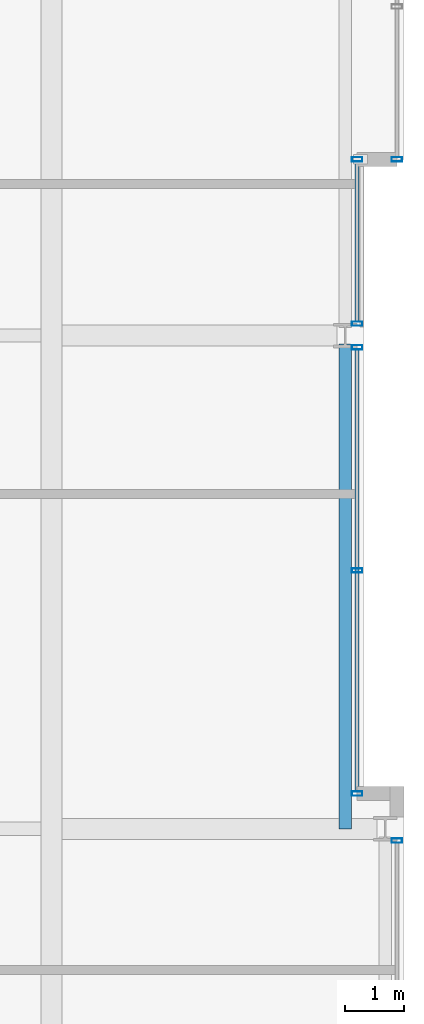
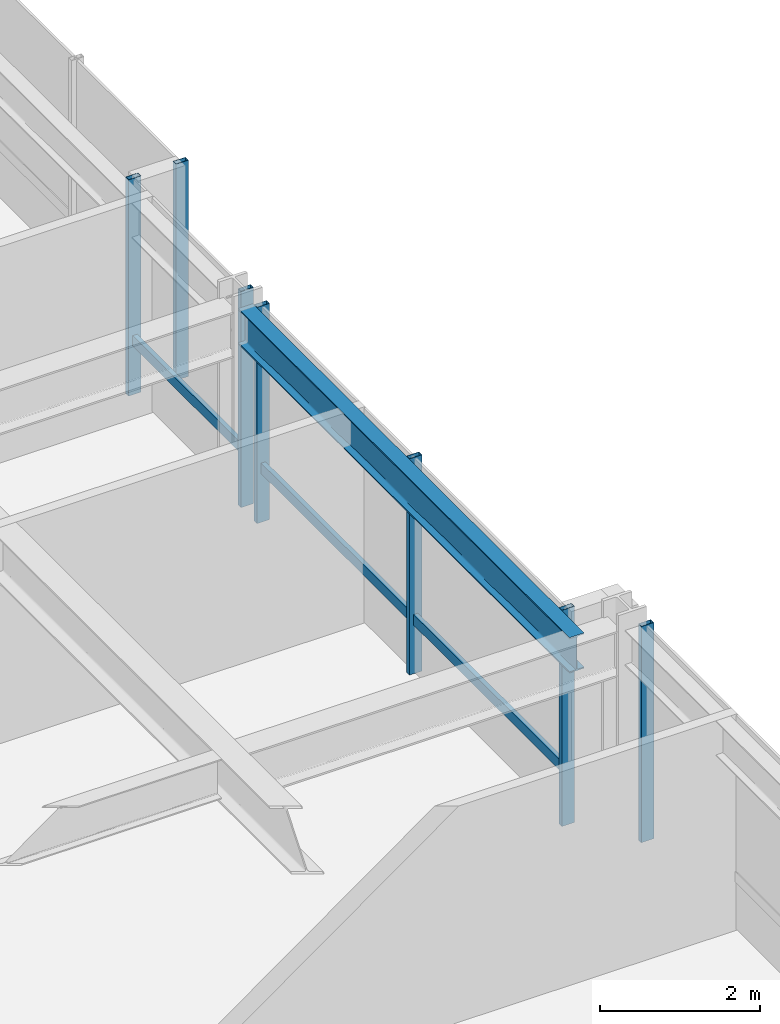
# One storey, part 15 of 34: 9 members, 1 beam, 4 elements without a shape of their own.
"""IFC4 building model written with IfcOpenShell, lengths in metres."""

from ifc_helpers import new_model, si_unit, direction, frame, origin, origin_2d, place, context, subcontext, project, spatial, hollow_rectangle, i_section, extrude, material, layer, layer_set, material_profile, profile_set, type_object, element, aggregate, save


model = new_model("IFC4")

# Units and contexts
model_context = context("Model", 3, precision=1e-05, world=origin(), true_north=direction((0.0, 1.0)))
body_context = subcontext(model_context, "Body", "Model", "MODEL_VIEW")
ifc_project = project(units=[si_unit("LENGTHUNIT", "METRE"), si_unit("AREAUNIT", "SQUARE_METRE"), si_unit("VOLUMEUNIT", "CUBIC_METRE"), si_unit("PLANEANGLEUNIT", "RADIAN"), si_unit("MASSUNIT", "GRAM", prefix="KILO")], contexts=[model_context])

# Site, building, storey
site_placement = place(None, origin())
site = spatial("IfcSite", under=ifc_project, at=site_placement, CompositionType="ELEMENT")
building_placement = place(site_placement, origin())
building = spatial("IfcBuilding", under=site, at=building_placement, Name="Drelvath Grand Hotel", CompositionType="ELEMENT")
storey_placement = place(building_placement, frame((0.0, 0.0, 175.25)))
storey = spatial("IfcBuildingStorey", under=building, at=storey_placement, Name="L45", CompositionType="ELEMENT", Elevation=175.25)

# Curtain wall, member
ifc_material_1 = material(Name="Brushed Pale-Silver Anodised Aluminium Frame", Category="aluminium")
ifc_layer = layer(ifc_material_1, 0.199951171875)
ifc_layer_set = layer_set([ifc_layer], Name="Brushed Pale-Silver Anodised Aluminium Frame")
curtain_wall_type = type_object("IfcCurtainWallType", Name="Stick Curtain Wall CW-04 Brushed Silver Upper-Mid", PredefinedType="NOTDEFINED", material=ifc_layer_set)
curtain_wall_1_placement = place(storey_placement, origin())
curtain_wall_1 = element("IfcCurtainWall", 1, at=curtain_wall_1_placement, inside=storey, type_object=curtain_wall_type, Name="L45 CW-04 Curtain Wall CW04-L45-EM1", PredefinedType="NOTDEFINED")
ifc_material_profile_1 = material_profile(ifc_material_1, hollow_rectangle(XDim=0.06494140625, YDim=0.159912109375, WallThickness=0.00390625, at=origin_2d()), Name="HSS160X65X4")
ifc_profile_set_1 = profile_set([ifc_material_profile_1], Name="Brushed Pale-Silver Anodised Aluminium Frame")
member_type_1 = type_object("IfcMemberType", Name="Curtain Wall Horizontal Transom CW-04 HSS160X65X4", PredefinedType="USERDEFINED", material=ifc_profile_set_1)
member_1_placement = place(storey_placement, frame((21.39990234375, 26.760009765625, 0.822509765625), z_axis=(0.0, -1.0, 0.0), x_axis=(1.0, 0.0, 0.0)))
member_1 = element("IfcMember", 2, at=member_1_placement, type_object=member_type_1, Name="CW04-L45-EM1 Sill Transom", ObjectType="TRANSOM", PredefinedType="USERDEFINED", context=body_context, shape_type="SweptSolid", body=[
    extrude(hollow_rectangle(XDim=0.06494140625, YDim=0.159912109375, WallThickness=0.00390625, at=origin_2d()), origin(), (0.0, 0.0, 1.0), 7.52001953125),
])

curtain_wall_2_placement = place(storey_placement, origin())
curtain_wall_2 = element("IfcCurtainWall", 3, at=curtain_wall_2_placement, inside=storey, type_object=curtain_wall_type, Name="L45 CW-04 Curtain Wall CW04-L45-EM2", PredefinedType="NOTDEFINED")
member_2_placement = place(storey_placement, frame((21.39990234375, 29.9599609375, 0.822509765625), z_axis=(0.0, -1.0, 0.0), x_axis=(1.0, 0.0, 0.0)))
member_2 = element("IfcMember", 4, at=member_2_placement, type_object=member_type_1, Name="CW04-L45-EM2 Sill Transom", ObjectType="TRANSOM", PredefinedType="USERDEFINED", context=body_context, shape_type="SweptSolid", body=[
    extrude(hollow_rectangle(XDim=0.06494140625, YDim=0.159912109375, WallThickness=0.00390625, at=origin_2d()), origin(), (0.0, 0.0, 1.0), 2.719970703125),
])

curtain_wall_3_placement = place(storey_placement, origin())
curtain_wall_3 = element("IfcCurtainWall", 5, at=curtain_wall_3_placement, inside=storey, type_object=curtain_wall_type, Name="L45 CW-04 Curtain Wall CW04-L45-EN1", PredefinedType="NOTDEFINED")
ifc_material_profile_2 = material_profile(ifc_material_1, hollow_rectangle(XDim=0.074951171875, YDim=0.179931640625, WallThickness=0.0048828125, at=origin_2d()), Name="HSS180X75X5")
ifc_profile_set_2 = profile_set([ifc_material_profile_2], Name="Brushed Pale-Silver Anodised Aluminium Frame")
member_type_2 = type_object("IfcMemberType", Name="Curtain Wall Vertical Mullion CW-04 HSS180X75X5", PredefinedType="MULLION", material=ifc_profile_set_2)
member_3_placement = place(storey_placement, frame((22.080078125, 30.0, 0.0), z_axis=(0.0, 0.0, 1.0), x_axis=(0.0, 1.0, 0.0)))
member_3 = element("IfcMember", 6, at=member_3_placement, type_object=member_type_2, Name="CW04-L45-EN1 Mullion 3", PredefinedType="MULLION", context=body_context, shape_type="SweptSolid", body=[
    extrude(hollow_rectangle(XDim=0.074951171875, YDim=0.179931640625, WallThickness=0.0048828125, at=origin_2d()), origin(), (0.0, 0.0, 1.0), 3.2900390625),
])
aggregate(curtain_wall_3, [member_3])

# Member
member_4_placement = place(storey_placement, frame((21.39990234375, 26.7998046875, 0.0), z_axis=(0.0, 0.0, 1.0), x_axis=(0.0, 1.0, 0.0)))
member_4 = element("IfcMember", 7, at=member_4_placement, type_object=member_type_2, Name="CW04-L45-EM1 Mullion 1", PredefinedType="MULLION", context=body_context, shape_type="SweptSolid", body=[
    extrude(hollow_rectangle(XDim=0.074951171875, YDim=0.179931640625, WallThickness=0.0048828125, at=origin_2d()), origin(), (0.0, 0.0, 1.0), 3.2900390625),
])

member_5_placement = place(storey_placement, frame((21.39990234375, 23.0, 0.0), z_axis=(0.0, 0.0, 1.0), x_axis=(0.0, 1.0, 0.0)))
member_5 = element("IfcMember", 8, at=member_5_placement, type_object=member_type_2, Name="CW04-L45-EM1 Mullion 2", PredefinedType="MULLION", context=body_context, shape_type="SweptSolid", body=[
    extrude(hollow_rectangle(XDim=0.074951171875, YDim=0.179931640625, WallThickness=0.0048828125, at=origin_2d()), origin(), (0.0, 0.0, 1.0), 3.2900390625),
])

member_6_placement = place(storey_placement, frame((21.39990234375, 19.199951171875, 0.0), z_axis=(0.0, 0.0, 1.0), x_axis=(0.0, 1.0, 0.0)))
member_6 = element("IfcMember", 9, at=member_6_placement, type_object=member_type_2, Name="CW04-L45-EM1 Mullion 3", PredefinedType="MULLION", context=body_context, shape_type="SweptSolid", body=[
    extrude(hollow_rectangle(XDim=0.074951171875, YDim=0.179931640625, WallThickness=0.0048828125, at=origin_2d()), origin(), (0.0, 0.0, 1.0), 3.2900390625),
])

aggregate(curtain_wall_1, [member_4, member_5, member_6, member_1])

member_7_placement = place(storey_placement, frame((21.39990234375, 30.0, 0.0), z_axis=(0.0, 0.0, 1.0), x_axis=(0.0, 1.0, 0.0)))
member_7 = element("IfcMember", 10, at=member_7_placement, type_object=member_type_2, Name="CW04-L45-EM2 Mullion 1", PredefinedType="MULLION", context=body_context, shape_type="SweptSolid", body=[
    extrude(hollow_rectangle(XDim=0.074951171875, YDim=0.179931640625, WallThickness=0.0048828125, at=origin_2d()), origin(), (0.0, 0.0, 1.0), 3.2900390625),
])

member_8_placement = place(storey_placement, frame((21.39990234375, 27.2001953125, 0.0), z_axis=(0.0, 0.0, 1.0), x_axis=(0.0, 1.0, 0.0)))
member_8 = element("IfcMember", 11, at=member_8_placement, type_object=member_type_2, Name="CW04-L45-EM2 Mullion 2", PredefinedType="MULLION", context=body_context, shape_type="SweptSolid", body=[
    extrude(hollow_rectangle(XDim=0.074951171875, YDim=0.179931640625, WallThickness=0.0048828125, at=origin_2d()), origin(), (0.0, 0.0, 1.0), 3.2900390625),
])

aggregate(curtain_wall_2, [member_7, member_8, member_2])

# Curtain wall, member
curtain_wall_4_placement = place(storey_placement, origin())
curtain_wall_4 = element("IfcCurtainWall", 12, at=curtain_wall_4_placement, inside=storey, type_object=curtain_wall_type, Name="L45 CW-04 Curtain Wall CW04-L45-ES2", PredefinedType="NOTDEFINED")
member_9_placement = place(storey_placement, frame((22.080078125, 18.39990234375, 0.0), z_axis=(0.0, 0.0, 1.0), x_axis=(0.0, 1.0, 0.0)))
member_9 = element("IfcMember", 13, at=member_9_placement, type_object=member_type_2, Name="CW04-L45-ES2 Mullion 1", PredefinedType="MULLION", context=body_context, shape_type="SweptSolid", body=[
    extrude(hollow_rectangle(XDim=0.074951171875, YDim=0.179931640625, WallThickness=0.0048828125, at=origin_2d()), origin(), (0.0, 0.0, 1.0), 3.2900390625),
])
aggregate(curtain_wall_4, [member_9])

# Beam
ifc_material_2 = material(Name="Steel ASTM A992 Gr 50", Category="steel")
ifc_material_profile_3 = material_profile(ifc_material_2, i_section(OverallWidth=0.210205078125, OverallDepth=0.53662109375, WebThickness=0.010986328125, FlangeThickness=0.017333984375, FilletRadius=0.01806640625, at=origin_2d()), Name="W21X68")
ifc_profile_set_3 = profile_set([ifc_material_profile_3], Name="Steel ASTM A992 Gr 50")
beam_type = type_object("IfcBeamType", Name="Perimeter Spandrel Beam W21X68", PredefinedType="SPANDREL", material=ifc_profile_set_3)
beam_placement = place(storey_placement, frame((21.199951171875, 18.60009765625, 3.021484375), z_axis=(0.0, 1.0, 0.0), x_axis=(-1.0, 0.0, 0.0)))
element("IfcBeam", 14, at=beam_placement, inside=storey, type_object=beam_type, Name="L45 Spandrel East Mid S", PredefinedType="SPANDREL", context=body_context, shape_type="SweptSolid", body=[
    extrude(i_section(OverallWidth=0.210205078125, OverallDepth=0.53662109375, WebThickness=0.010986328125, FlangeThickness=0.017333984375, FilletRadius=0.01806640625, at=origin_2d()), origin(), (0.0, 0.0, 1.0), 8.260009765625),
])

save(model, "model.ifc")
